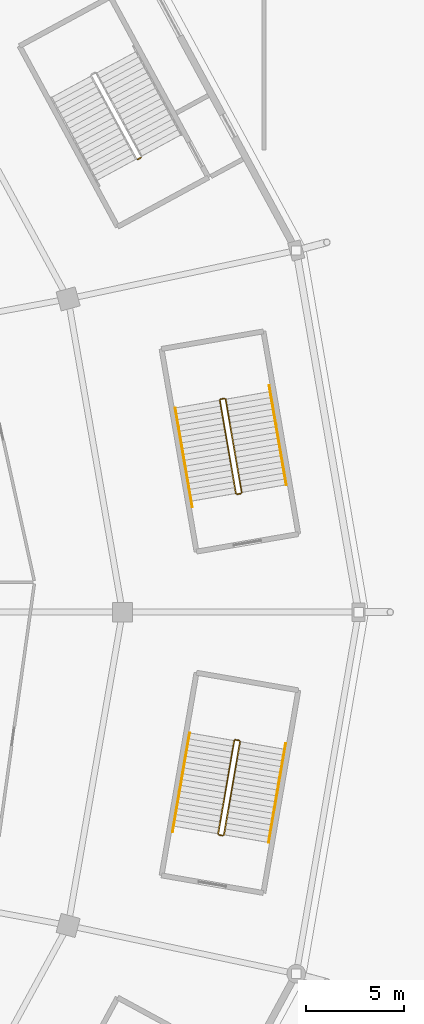
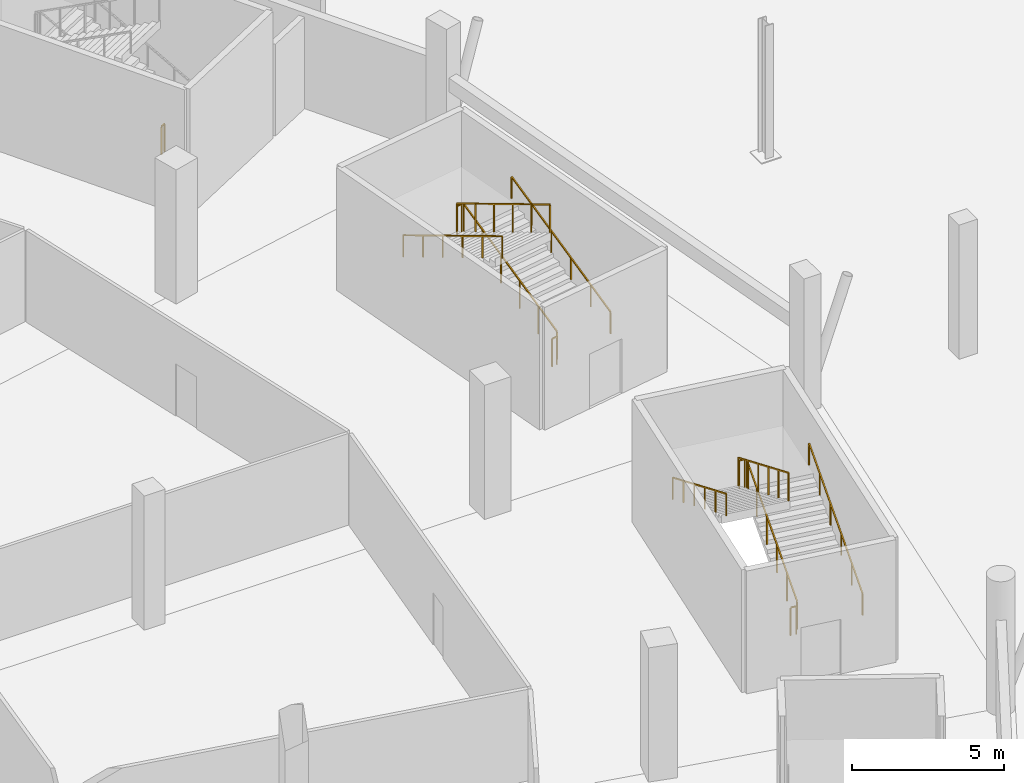
# One storey, part 76 of 82: 13 railings.
"""IFC4 building model written with IfcOpenShell, lengths in metres."""

from ifc_helpers import new_model, si_unit, direction, frame, origin, origin_2d, place, context, subcontext, project, spatial, rectangle, extrude, material, type_object, element, save


model = new_model("IFC4")

# Units and contexts
model_context = context("Model", 3, precision=1e-05, world=origin(), true_north=direction((0.0, 1.0)))
body_context = subcontext(model_context, "Body", "Model", "MODEL_VIEW")
ifc_project = project(units=[si_unit("LENGTHUNIT", "METRE"), si_unit("AREAUNIT", "SQUARE_METRE"), si_unit("VOLUMEUNIT", "CUBIC_METRE"), si_unit("PLANEANGLEUNIT", "RADIAN"), si_unit("MASSUNIT", "GRAM", prefix="KILO")], contexts=[model_context])

# Site, building, storey
site_placement = place(None, origin())
site = spatial("IfcSite", under=ifc_project, at=site_placement, CompositionType="ELEMENT")
building_placement = place(site_placement, origin())
building = spatial("IfcBuilding", under=site, at=building_placement, Name="Zlatoyarsky Gate Stadium", CompositionType="ELEMENT")
storey_placement = place(building_placement, origin())
storey = spatial("IfcBuildingStorey", under=building, at=storey_placement, Name="L00", CompositionType="ELEMENT", Elevation=0.0)

# Railings
ifc_material_1 = material(Name="Powder-coated steel stair guardrail", Category="steel")
railing_type_1 = type_object("IfcRailingType", Name="PAINTED STEEL STAIR WELL GUARDRAIL 1150", PredefinedType="GUARDRAIL", material=ifc_material_1)
railing_1_placement = place(storey_placement, frame((198.0595703125, 86.085693359375, 0.158935546875)))
element("IfcRailing", 1, at=railing_1_placement, inside=storey, type_object=railing_type_1, Name="ST-01 L00 stair guard 1", PredefinedType="GUARDRAIL", context=body_context, shape_type="SweptSolid", body=[
    extrude(rectangle(XDim=0.048095703125, YDim=0.048095703125, at=origin_2d()), frame((0.0, 0.0, 1.1259765625), z_axis=(-0.150185083639, 0.870947619129, 0.467861822962), x_axis=(-0.985456004189, -0.169930761806, 0.0)), (0.0, 0.0, 1.0), 5.43115234375),
    extrude(rectangle(XDim=0.0419921875, YDim=0.0419921875, at=origin_2d()), origin(), (0.0, 0.0, 1.0), 1.101806640625),
    extrude(rectangle(XDim=0.0419921875, YDim=0.0419921875, at=origin_2d()), frame((-0.1630859375, 0.946044921875, 0.50830078125)), (0.0, 0.0, 1.0), 1.101806640625),
    extrude(rectangle(XDim=0.0419921875, YDim=0.0419921875, at=origin_2d()), frame((-0.326171875, 1.89208984375, 1.016357421875)), (0.0, 0.0, 1.0), 1.101806640625),
    extrude(rectangle(XDim=0.0419921875, YDim=0.0419921875, at=origin_2d()), frame((-0.489501953125, 2.838134765625, 1.524658203125)), (0.0, 0.0, 1.0), 1.101806640625),
    extrude(rectangle(XDim=0.0419921875, YDim=0.0419921875, at=origin_2d()), frame((-0.652587890625, 3.7841796875, 2.03271484375)), (0.0, 0.0, 1.0), 1.101806640625),
    extrude(rectangle(XDim=0.0419921875, YDim=0.0419921875, at=origin_2d()), frame((-0.815673828125, 4.730224609375, 2.541015625)), (0.0, 0.0, 1.0), 1.101806640625),
])
railing_2_placement = place(storey_placement, frame((197.18603515625, 90.856689453125, 2.699951171875)))
element("IfcRailing", 2, at=railing_2_placement, inside=storey, type_object=railing_type_1, Name="ST-01 L00 stair guard 2", PredefinedType="GUARDRAIL", context=body_context, shape_type="SweptSolid", body=[
    extrude(rectangle(XDim=0.048095703125, YDim=0.048095703125, at=origin_2d()), frame((0.0, 0.0, 1.1259765625), z_axis=(-0.985488304827, -0.16974333875, 0.0), x_axis=(0.16974333875, -0.985488304827, 0.0)), (0.0, 0.0, 1.0), 0.199951171875),
    extrude(rectangle(XDim=0.0419921875, YDim=0.0419921875, at=origin_2d()), origin(), (0.0, 0.0, 1.0), 1.101806640625),
    extrude(rectangle(XDim=0.0419921875, YDim=0.0419921875, at=origin_2d()), frame((-0.197021484375, -0.033935546875, 0.0)), (0.0, 0.0, 1.0), 1.101806640625),
])
railing_3_placement = place(storey_placement, frame((196.9482421875, 90.764892578125, 2.85888671875)))
element("IfcRailing", 3, at=railing_3_placement, inside=storey, type_object=railing_type_1, Name="ST-01 L00 stair guard 3", PredefinedType="GUARDRAIL", context=body_context, shape_type="SweptSolid", body=[
    extrude(rectangle(XDim=0.048095703125, YDim=0.048095703125, at=origin_2d()), frame((0.0, 0.0, 1.1259765625), z_axis=(0.150190963722, -0.870936764788, 0.467880140803), x_axis=(0.985454535357, 0.169939279582, 0.0)), (0.0, 0.0, 1.0), 5.430908203125),
    extrude(rectangle(XDim=0.0419921875, YDim=0.0419921875, at=origin_2d()), origin(), (0.0, 0.0, 1.0), 1.101806640625),
    extrude(rectangle(XDim=0.0419921875, YDim=0.0419921875, at=origin_2d()), frame((0.1630859375, -0.946044921875, 0.50830078125)), (0.0, 0.0, 1.0), 1.101806640625),
    extrude(rectangle(XDim=0.0419921875, YDim=0.0419921875, at=origin_2d()), frame((0.326171875, -1.89208984375, 1.016357421875)), (0.0, 0.0, 1.0), 1.101806640625),
    extrude(rectangle(XDim=0.0419921875, YDim=0.0419921875, at=origin_2d()), frame((0.489501953125, -2.837890625, 1.524658203125)), (0.0, 0.0, 1.0), 1.101806640625),
    extrude(rectangle(XDim=0.0419921875, YDim=0.0419921875, at=origin_2d()), frame((0.652587890625, -3.783935546875, 2.03271484375)), (0.0, 0.0, 1.0), 1.101806640625),
    extrude(rectangle(XDim=0.0419921875, YDim=0.0419921875, at=origin_2d()), frame((0.815673828125, -4.72998046875, 2.541015625)), (0.0, 0.0, 1.0), 1.101806640625),
])
railing_4_placement = place(storey_placement, frame((198.018798828125, 86.028076171875, 0.0)))
element("IfcRailing", 4, at=railing_4_placement, inside=storey, type_object=railing_type_1, Name="ST-01 L00 stair guard 4", PredefinedType="GUARDRAIL", context=body_context, shape_type="SweptSolid", body=[
    extrude(rectangle(XDim=0.048095703125, YDim=0.048095703125, at=origin_2d()), frame((0.0, 0.0, 1.1259765625), z_axis=(-0.985488304827, -0.16974333875, 0.0), x_axis=(0.16974333875, -0.985488304827, 0.0)), (0.0, 0.0, 1.0), 0.199951171875),
    extrude(rectangle(XDim=0.0419921875, YDim=0.0419921875, at=origin_2d()), origin(), (0.0, 0.0, 1.0), 1.101806640625),
    extrude(rectangle(XDim=0.0419921875, YDim=0.0419921875, at=origin_2d()), frame((-0.197021484375, -0.033935546875, 0.0)), (0.0, 0.0, 1.0), 1.101806640625),
])
railing_5_placement = place(storey_placement, frame((192.94482421875, 103.098876953125, 0.0)))
element("IfcRailing", 5, at=railing_5_placement, inside=storey, type_object=railing_type_1, Name="ST-13 L00 stair guard 4", PredefinedType="GUARDRAIL", context=body_context, shape_type="SweptSolid", body=[
    extrude(rectangle(XDim=0.048095703125, YDim=0.048095703125, at=origin_2d()), frame((0.0, 0.0, 1.1259765625), z_axis=(-0.878780312785, -0.477226530971, 0.0), x_axis=(0.477226530971, -0.878780312785, 0.0)), (0.0, 0.0, 1.0), 0.199951171875),
    extrude(rectangle(XDim=0.0419921875, YDim=0.0419921875, at=origin_2d()), origin(), (0.0, 0.0, 1.0), 1.101806640625),
    extrude(rectangle(XDim=0.0419921875, YDim=0.0419921875, at=origin_2d()), frame((-0.17578125, -0.095458984375, 0.0)), (0.0, 0.0, 1.0), 1.101806640625),
])
railing_6_placement = place(storey_placement, frame((197.158935546875, 68.69140625, 0.158935546875)))
element("IfcRailing", 6, at=railing_6_placement, inside=storey, type_object=railing_type_1, Name="ST-20 L00 stair guard 1", PredefinedType="GUARDRAIL", context=body_context, shape_type="SweptSolid", body=[
    extrude(rectangle(XDim=0.048095703125, YDim=0.048095703125, at=origin_2d()), frame((0.0, 0.0, 1.1259765625), z_axis=(0.150190963722, 0.870936764788, 0.467880140803), x_axis=(-0.985454535357, 0.169939279582, 0.0)), (0.0, 0.0, 1.0), 5.430908203125),
    extrude(rectangle(XDim=0.0419921875, YDim=0.0419921875, at=origin_2d()), origin(), (0.0, 0.0, 1.0), 1.101806640625),
    extrude(rectangle(XDim=0.0419921875, YDim=0.0419921875, at=origin_2d()), frame((0.1630859375, 0.946044921875, 0.50830078125)), (0.0, 0.0, 1.0), 1.101806640625),
    extrude(rectangle(XDim=0.0419921875, YDim=0.0419921875, at=origin_2d()), frame((0.326171875, 1.89208984375, 1.016357421875)), (0.0, 0.0, 1.0), 1.101806640625),
    extrude(rectangle(XDim=0.0419921875, YDim=0.0419921875, at=origin_2d()), frame((0.489501953125, 2.837890625, 1.524658203125)), (0.0, 0.0, 1.0), 1.101806640625),
    extrude(rectangle(XDim=0.0419921875, YDim=0.0419921875, at=origin_2d()), frame((0.652587890625, 3.783935546875, 2.03271484375)), (0.0, 0.0, 1.0), 1.101806640625),
    extrude(rectangle(XDim=0.0419921875, YDim=0.0419921875, at=origin_2d()), frame((0.815673828125, 4.72998046875, 2.541015625)), (0.0, 0.0, 1.0), 1.101806640625),
])
railing_7_placement = place(storey_placement, frame((197.933837890625, 73.479248046875, 2.699951171875)))
element("IfcRailing", 7, at=railing_7_placement, inside=storey, type_object=railing_type_1, Name="ST-20 L00 stair guard 2", PredefinedType="GUARDRAIL", context=body_context, shape_type="SweptSolid", body=[
    extrude(rectangle(XDim=0.048095703125, YDim=0.048095703125, at=origin_2d()), frame((0.0, 0.0, 1.1259765625), z_axis=(-0.985488304827, 0.16974333875, 0.0), x_axis=(-0.16974333875, -0.985488304827, 0.0)), (0.0, 0.0, 1.0), 0.199951171875),
    extrude(rectangle(XDim=0.0419921875, YDim=0.0419921875, at=origin_2d()), origin(), (0.0, 0.0, 1.0), 1.101806640625),
    extrude(rectangle(XDim=0.0419921875, YDim=0.0419921875, at=origin_2d()), frame((-0.197021484375, 0.033935546875, 0.0)), (0.0, 0.0, 1.0), 1.101806640625),
])
railing_8_placement = place(storey_placement, frame((197.678955078125, 73.472412109375, 2.85888671875)))
element("IfcRailing", 8, at=railing_8_placement, inside=storey, type_object=railing_type_1, Name="ST-20 L00 stair guard 3", PredefinedType="GUARDRAIL", context=body_context, shape_type="SweptSolid", body=[
    extrude(rectangle(XDim=0.048095703125, YDim=0.048095703125, at=origin_2d()), frame((0.0, 0.0, 1.1259765625), z_axis=(-0.150185083639, -0.870947619129, 0.467861822962), x_axis=(0.985456004189, -0.169930761806, 0.0)), (0.0, 0.0, 1.0), 5.43115234375),
    extrude(rectangle(XDim=0.0419921875, YDim=0.0419921875, at=origin_2d()), origin(), (0.0, 0.0, 1.0), 1.101806640625),
    extrude(rectangle(XDim=0.0419921875, YDim=0.0419921875, at=origin_2d()), frame((-0.1630859375, -0.946044921875, 0.50830078125)), (0.0, 0.0, 1.0), 1.101806640625),
    extrude(rectangle(XDim=0.0419921875, YDim=0.0419921875, at=origin_2d()), frame((-0.326171875, -1.89208984375, 1.016357421875)), (0.0, 0.0, 1.0), 1.101806640625),
    extrude(rectangle(XDim=0.0419921875, YDim=0.0419921875, at=origin_2d()), frame((-0.489501953125, -2.838134765625, 1.524658203125)), (0.0, 0.0, 1.0), 1.101806640625),
    extrude(rectangle(XDim=0.0419921875, YDim=0.0419921875, at=origin_2d()), frame((-0.652587890625, -3.7841796875, 2.03271484375)), (0.0, 0.0, 1.0), 1.101806640625),
    extrude(rectangle(XDim=0.0419921875, YDim=0.0419921875, at=origin_2d()), frame((-0.815673828125, -4.730224609375, 2.541015625)), (0.0, 0.0, 1.0), 1.101806640625),
])
railing_9_placement = place(storey_placement, frame((197.10107421875, 68.650634765625, 0.0)))
element("IfcRailing", 9, at=railing_9_placement, inside=storey, type_object=railing_type_1, Name="ST-20 L00 stair guard 4", PredefinedType="GUARDRAIL", context=body_context, shape_type="SweptSolid", body=[
    extrude(rectangle(XDim=0.048095703125, YDim=0.048095703125, at=origin_2d()), frame((0.0, 0.0, 1.1259765625), z_axis=(-0.985488304827, 0.16974333875, 0.0), x_axis=(-0.16974333875, -0.985488304827, 0.0)), (0.0, 0.0, 1.0), 0.199951171875),
    extrude(rectangle(XDim=0.0419921875, YDim=0.0419921875, at=origin_2d()), origin(), (0.0, 0.0, 1.0), 1.101806640625),
    extrude(rectangle(XDim=0.0419921875, YDim=0.0419921875, at=origin_2d()), frame((-0.197021484375, 0.033935546875, 0.0)), (0.0, 0.0, 1.0), 1.101806640625),
])
ifc_material_2 = material(Name="Brushed stainless steel 316 handrail", Category="steel")
railing_type_2 = type_object("IfcRailingType", Name="STAINLESS STEEL TUBULAR HANDRAIL 900", PredefinedType="HANDRAIL", material=ifc_material_2)
railing_10_placement = place(storey_placement, frame((200.326171875, 86.4765625, 0.162841796875)))
element("IfcRailing", 10, at=railing_10_placement, inside=storey, type_object=railing_type_2, Name="ST-01 L00 stair handrail 1", PredefinedType="HANDRAIL", context=body_context, shape_type="SweptSolid", body=[
    extrude(rectangle(XDim=0.048095703125, YDim=0.048095703125, at=origin_2d()), frame((0.0, 0.0, 0.8759765625), z_axis=(-0.150191005061, 0.870938600052, 0.467876711259), x_axis=(-0.985454587494, -0.169938977247, 0.0)), (0.0, 0.0, 1.0), 5.770751953125),
    extrude(rectangle(XDim=0.0419921875, YDim=0.0419921875, at=origin_2d()), origin(), (0.0, 0.0, 1.0), 0.851806640625),
    extrude(rectangle(XDim=0.0419921875, YDim=0.0419921875, at=origin_2d()), frame((-0.17333984375, 1.005126953125, 0.5400390625)), (0.0, 0.0, 1.0), 0.851806640625),
    extrude(rectangle(XDim=0.0419921875, YDim=0.0419921875, at=origin_2d()), frame((-0.3466796875, 2.01025390625, 1.080078125)), (0.0, 0.0, 1.0), 0.851806640625),
    extrude(rectangle(XDim=0.0419921875, YDim=0.0419921875, at=origin_2d()), frame((-0.52001953125, 3.015625, 1.619873046875)), (0.0, 0.0, 1.0), 0.851806640625),
    extrude(rectangle(XDim=0.0419921875, YDim=0.0419921875, at=origin_2d()), frame((-0.693359375, 4.020751953125, 2.159912109375)), (0.0, 0.0, 1.0), 0.851806640625),
    extrude(rectangle(XDim=0.0419921875, YDim=0.0419921875, at=origin_2d()), frame((-0.86669921875, 5.02587890625, 2.699951171875)), (0.0, 0.0, 1.0), 0.851806640625),
])
railing_11_placement = place(storey_placement, frame((194.681640625, 90.374267578125, 2.86279296875)))
element("IfcRailing", 11, at=railing_11_placement, inside=storey, type_object=railing_type_2, Name="ST-01 L00 stair handrail 2", PredefinedType="HANDRAIL", context=body_context, shape_type="SweptSolid", body=[
    extrude(rectangle(XDim=0.048095703125, YDim=0.048095703125, at=origin_2d()), frame((0.0, 0.0, 0.8759765625), z_axis=(0.150191005061, -0.870938600052, 0.467876711259), x_axis=(0.985454587494, 0.169938977247, 0.0)), (0.0, 0.0, 1.0), 5.770751953125),
    extrude(rectangle(XDim=0.0419921875, YDim=0.0419921875, at=origin_2d()), origin(), (0.0, 0.0, 1.0), 0.851806640625),
    extrude(rectangle(XDim=0.0419921875, YDim=0.0419921875, at=origin_2d()), frame((0.17333984375, -1.005126953125, 0.5400390625)), (0.0, 0.0, 1.0), 0.851806640625),
    extrude(rectangle(XDim=0.0419921875, YDim=0.0419921875, at=origin_2d()), frame((0.3466796875, -2.01025390625, 1.080078125)), (0.0, 0.0, 1.0), 0.851806640625),
    extrude(rectangle(XDim=0.0419921875, YDim=0.0419921875, at=origin_2d()), frame((0.52001953125, -3.015625, 1.619873046875)), (0.0, 0.0, 1.0), 0.851806640625),
    extrude(rectangle(XDim=0.0419921875, YDim=0.0419921875, at=origin_2d()), frame((0.693359375, -4.020751953125, 2.159912109375)), (0.0, 0.0, 1.0), 0.851806640625),
    extrude(rectangle(XDim=0.0419921875, YDim=0.0419921875, at=origin_2d()), frame((0.86669921875, -5.02587890625, 2.699951171875)), (0.0, 0.0, 1.0), 0.851806640625),
])
railing_12_placement = place(storey_placement, frame((199.425537109375, 68.300537109375, 0.162841796875)))
element("IfcRailing", 12, at=railing_12_placement, inside=storey, type_object=railing_type_2, Name="ST-20 L00 stair handrail 1", PredefinedType="HANDRAIL", context=body_context, shape_type="SweptSolid", body=[
    extrude(rectangle(XDim=0.048095703125, YDim=0.048095703125, at=origin_2d()), frame((0.0, 0.0, 0.8759765625), z_axis=(0.150196539333, 0.870928383709, 0.467893951685), x_axis=(-0.985453204942, 0.169946994294, 0.0)), (0.0, 0.0, 1.0), 5.7705078125),
    extrude(rectangle(XDim=0.0419921875, YDim=0.0419921875, at=origin_2d()), origin(), (0.0, 0.0, 1.0), 0.851806640625),
    extrude(rectangle(XDim=0.0419921875, YDim=0.0419921875, at=origin_2d()), frame((0.17333984375, 1.005126953125, 0.5400390625)), (0.0, 0.0, 1.0), 0.851806640625),
    extrude(rectangle(XDim=0.0419921875, YDim=0.0419921875, at=origin_2d()), frame((0.3466796875, 2.01025390625, 1.080078125)), (0.0, 0.0, 1.0), 0.851806640625),
    extrude(rectangle(XDim=0.0419921875, YDim=0.0419921875, at=origin_2d()), frame((0.52001953125, 3.015380859375, 1.619873046875)), (0.0, 0.0, 1.0), 0.851806640625),
    extrude(rectangle(XDim=0.0419921875, YDim=0.0419921875, at=origin_2d()), frame((0.693359375, 4.0205078125, 2.159912109375)), (0.0, 0.0, 1.0), 0.851806640625),
    extrude(rectangle(XDim=0.0419921875, YDim=0.0419921875, at=origin_2d()), frame((0.86669921875, 5.025634765625, 2.699951171875)), (0.0, 0.0, 1.0), 0.851806640625),
])
railing_13_placement = place(storey_placement, frame((195.412353515625, 73.86328125, 2.86279296875)))
element("IfcRailing", 13, at=railing_13_placement, inside=storey, type_object=railing_type_2, Name="ST-20 L00 stair handrail 2", PredefinedType="HANDRAIL", context=body_context, shape_type="SweptSolid", body=[
    extrude(rectangle(XDim=0.048095703125, YDim=0.048095703125, at=origin_2d()), frame((0.0, 0.0, 0.8759765625), z_axis=(-0.150191005061, -0.870938600052, 0.467876711259), x_axis=(0.985454587494, -0.169938977247, 0.0)), (0.0, 0.0, 1.0), 5.770751953125),
    extrude(rectangle(XDim=0.0419921875, YDim=0.0419921875, at=origin_2d()), origin(), (0.0, 0.0, 1.0), 0.851806640625),
    extrude(rectangle(XDim=0.0419921875, YDim=0.0419921875, at=origin_2d()), frame((-0.17333984375, -1.005126953125, 0.5400390625)), (0.0, 0.0, 1.0), 0.851806640625),
    extrude(rectangle(XDim=0.0419921875, YDim=0.0419921875, at=origin_2d()), frame((-0.3466796875, -2.01025390625, 1.080078125)), (0.0, 0.0, 1.0), 0.851806640625),
    extrude(rectangle(XDim=0.0419921875, YDim=0.0419921875, at=origin_2d()), frame((-0.52001953125, -3.015625, 1.619873046875)), (0.0, 0.0, 1.0), 0.851806640625),
    extrude(rectangle(XDim=0.0419921875, YDim=0.0419921875, at=origin_2d()), frame((-0.693359375, -4.020751953125, 2.159912109375)), (0.0, 0.0, 1.0), 0.851806640625),
    extrude(rectangle(XDim=0.0419921875, YDim=0.0419921875, at=origin_2d()), frame((-0.86669921875, -5.02587890625, 2.699951171875)), (0.0, 0.0, 1.0), 0.851806640625),
])

save(model, "model.ifc")
